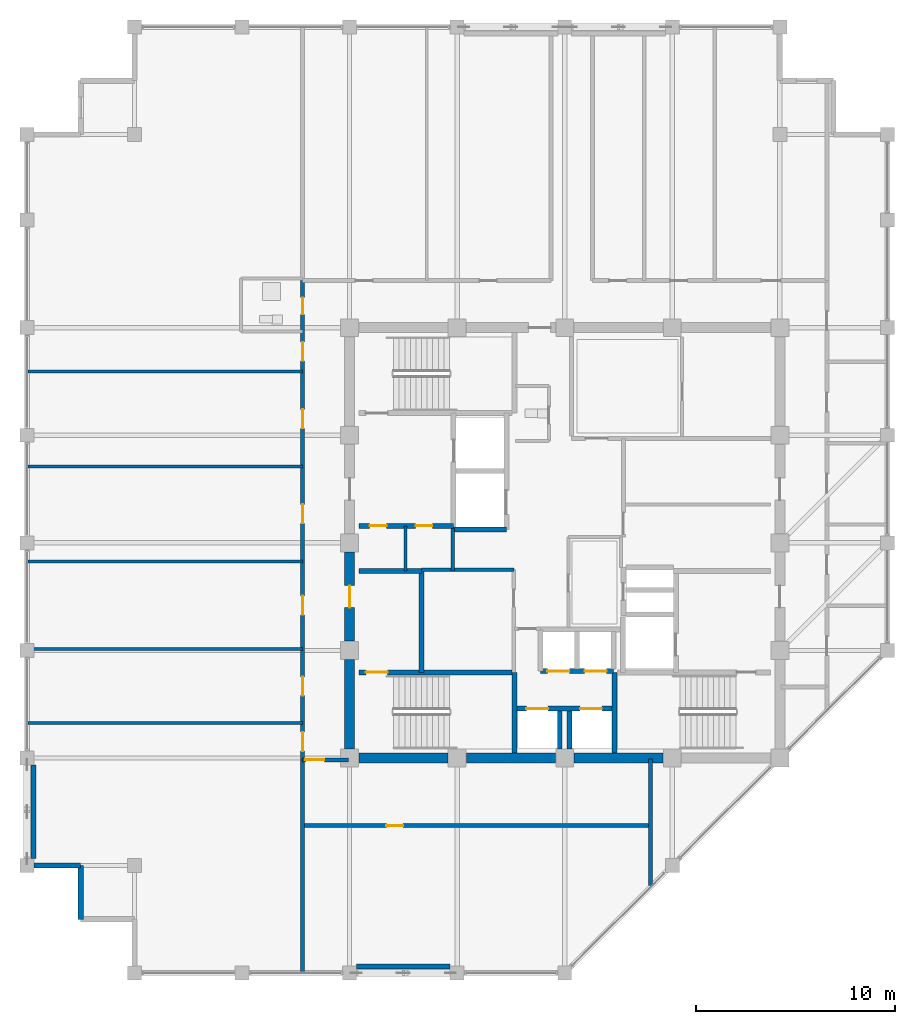
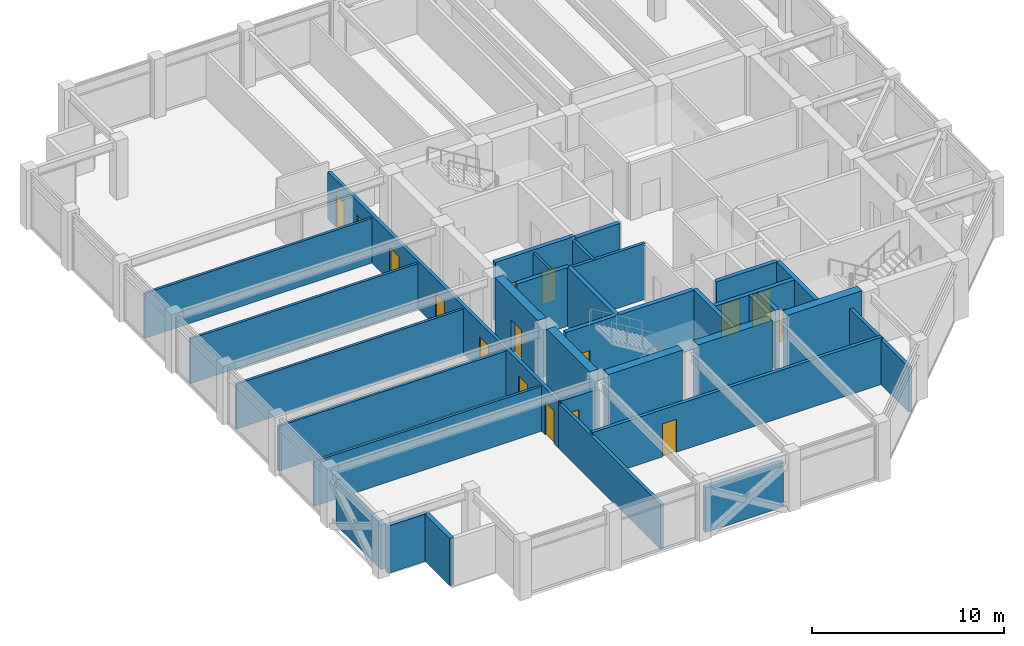
# One storey, part 26 of 31: 33 walls, 17 doors, 17 openings.
"""IFC4 building model written with IfcOpenShell, lengths in metres."""

from ifc_helpers import new_model, si_unit, direction, frame, frame_2d, origin, place, context, subcontext, project, spatial, rectangle, extrude, material, layer, layer_set, type_object, element, fill, save


model = new_model("IFC4")

# Units and contexts
model_context = context("Model", 3, precision=1e-05, world=origin(), true_north=direction((0.0, 1.0)))
body_context = subcontext(model_context, "Body", "Model", "MODEL_VIEW")
ifc_project = project(units=[si_unit("LENGTHUNIT", "METRE"), si_unit("AREAUNIT", "SQUARE_METRE"), si_unit("VOLUMEUNIT", "CUBIC_METRE"), si_unit("PLANEANGLEUNIT", "RADIAN"), si_unit("MASSUNIT", "GRAM", prefix="KILO")], contexts=[model_context])

# Site, building, storey
site_placement = place(None, origin())
site = spatial("IfcSite", under=ifc_project, at=site_placement, CompositionType="ELEMENT")
building_placement = place(site_placement, origin())
building = spatial("IfcBuilding", under=site, at=building_placement, Name="Surkhivell Harbour Commons", CompositionType="ELEMENT")
storey_placement = place(building_placement, frame((0.0, 0.0, 330.0)))
storey = spatial("IfcBuildingStorey", under=building, at=storey_placement, Name="L86", CompositionType="ELEMENT", Elevation=330.0)

# Walls
ifc_material_1 = material(Name="Concrete C50/60", Category="concrete")
ifc_layer_1 = layer(ifc_material_1, 0.5)
ifc_layer_set_1 = layer_set([ifc_layer_1], Name="Concrete C50/60")
wall_type_1 = type_object("IfcWallType", Name="WAL-CORE-500", PredefinedType="SHEAR", material=ifc_layer_set_1)
for number, where, z_axis, x_axis, name in (
    (1, (-10.340087890625, -10.800048828125, 0.0), (0.0, 0.0, 1.0), (1.0, 0.0, 0.0), "L86 Core Shear Wall South 1"),
    (2, (-10.800048828125, -10.340087890625, 0.0), (0.0, 0.0, 1.0), (0.0, 1.0, 0.0), "L86 Core Shear Wall West 1"),
    (3, (-4.93994140625, -10.800048828125, 0.0), (0.0, 0.0, 1.0), (1.0, 0.0, 0.0), "L86 Core Shear Wall South 2"),
):
    element("IfcWall", number, at=place(storey_placement, frame(where, z_axis=z_axis, x_axis=x_axis)), inside=storey, type_object=wall_type_1, Name=name, PredefinedType="SHEAR", context=body_context, shape_type="SweptSolid", body=[
        extrude(rectangle(XDim=4.47998046875, YDim=0.5, at=frame_2d((2.239990234375, 0.0))), origin(), (0.0, 0.0, 1.0), 3.75),
    ])

# Wall, opening, door
wall_1_placement = place(storey_placement, frame((-10.800048828125, -4.93994140625, 0.0), z_axis=(0.0, 0.0, 1.0), x_axis=(0.0, 1.0, 0.0)))
wall_1 = element("IfcWall", 4, at=wall_1_placement, inside=storey, type_object=wall_type_1, Name="L86 Core Shear Wall West 2", PredefinedType="SHEAR", context=body_context, shape_type="SweptSolid", body=[
    extrude(rectangle(XDim=4.47998046875, YDim=0.5, at=frame_2d((2.239990234375, 0.0))), origin(), (0.0, 0.0, 1.0), 3.75),
])
opening_1_placement = place(wall_1_placement, frame((1.68994140625, 0.0, 0.0)))
opening_1 = element("IfcOpeningElement", 5, at=opening_1_placement, cuts=wall_1, Name="Opening ID-2", PredefinedType="OPENING", context=body_context, shape_type="SweptSolid", body=[
    extrude(rectangle(XDim=1.10009765625, YDim=2.10009765625, at=frame_2d((0.550048828125, 1.050048828125))), frame((0.0, 0.260009765625, 0.0), z_axis=(0.0, -1.0, 0.0), x_axis=(1.0, 0.0, 0.0)), (0.0, 0.0, 1.0), 0.52001953125),
])
ifc_material_2 = material(Name="Hardwood-veneered fire-rated door leaf", Category="wood")
door_type_1 = type_object("IfcDoorType", Name="DOR-FD60-1100", OperationType="NOTDEFINED", PredefinedType="DOOR", material=ifc_material_2)
door_1_placement = place(opening_1_placement, origin())
door_1 = element("IfcDoor", 6, at=door_1_placement, inside=storey, type_object=door_type_1, Name="L86 Stair 3 Lobby Corridor Door", OperationType="SINGLE_SWING_LEFT", OverallHeight=2.10009765625, OverallWidth=1.10009765625, PredefinedType="DOOR", context=body_context, shape_type="SweptSolid", body=[
    extrude(rectangle(XDim=1.10009765625, YDim=2.10009765625, at=frame_2d((0.550048828125, 1.050048828125))), frame((0.0, 0.02490234375, 0.0), z_axis=(0.0, -1.0, 0.0), x_axis=(1.0, 0.0, 0.0)), (0.0, 0.0, 1.0), 0.050048828125),
])
fill(opening_1, door_1)

# Walls
wall_2_placement = place(storey_placement, frame((0.4599609375, -10.800048828125, 0.0), z_axis=(0.0, 0.0, 1.0), x_axis=(1.0, 0.0, 0.0)))
element("IfcWall", 7, at=wall_2_placement, inside=storey, type_object=wall_type_1, Name="L86 Core Shear Wall South 3", PredefinedType="SHEAR", context=body_context, shape_type="SweptSolid", body=[
    extrude(rectangle(XDim=4.47998046875, YDim=0.5, at=frame_2d((2.239990234375, 0.0))), origin(), (0.0, 0.0, 1.0), 3.75),
])
ifc_material_3 = material(Name="Pale-metal insulated precast concrete C45/55", Category="concrete")
ifc_layer_2 = layer(ifc_material_3, 0.260009765625)
ifc_layer_set_2 = layer_set([ifc_layer_2], Name="Pale-metal insulated precast concrete C45/55")
wall_type_2 = type_object("IfcWallType", Name="WAL-EXT-MTL260", PredefinedType="STANDARD", material=ifc_layer_set_2)
wall_3_placement = place(storey_placement, frame((-10.451904296875, -21.264892578125, 0.0), z_axis=(0.0, 0.0, 1.0), x_axis=(1.0, 0.0, 0.0)))
element("IfcWall", 8, at=wall_3_placement, inside=storey, type_object=wall_type_2, Name="L86 Braced-Bay Insulated Spandrel Backing S", PredefinedType="STANDARD", context=body_context, shape_type="SweptSolid", body=[
    extrude(rectangle(XDim=4.703857421875, YDim=0.260009765625, at=frame_2d((2.35205078125, 0.0))), origin(), (0.0, 0.0, 1.0), 2.85693359375),
])
wall_4_placement = place(storey_placement, frame((-26.6650390625, -11.14794921875, 0.0), z_axis=(0.0, 0.0, 1.0), x_axis=(0.0, -1.0, 0.0)))
element("IfcWall", 9, at=wall_4_placement, inside=storey, type_object=wall_type_2, Name="L86 Braced-Bay Insulated Spandrel Backing W", PredefinedType="STANDARD", context=body_context, shape_type="SweptSolid", body=[
    extrude(rectangle(XDim=4.7041015625, YDim=0.260009765625, at=frame_2d((2.35205078125, 0.0))), origin(), (0.0, 0.0, 1.0), 2.85693359375),
])
wall_5_placement = place(storey_placement, frame((-26.652099609375, -16.199951171875, 0.0), z_axis=(0.0, 0.0, 1.0), x_axis=(1.0, 0.0, 0.0)))
element("IfcWall", 10, at=wall_5_placement, inside=storey, type_object=wall_type_2, Name="L86 Serrated Corner Facade Wall 13", PredefinedType="STANDARD", context=body_context, shape_type="SweptSolid", body=[
    extrude(rectangle(XDim=2.35205078125, YDim=0.260009765625, at=frame_2d((1.176025390625, 0.0))), origin(), (0.0, 0.0, 1.0), 3.012939453125),
])
wall_6_placement = place(storey_placement, frame((-24.300048828125, -16.199951171875, 0.0), z_axis=(0.0, 0.0, 1.0), x_axis=(0.0, -1.0, 0.0)))
element("IfcWall", 11, at=wall_6_placement, inside=storey, type_object=wall_type_2, Name="L86 Serrated Corner Facade Wall 14", PredefinedType="STANDARD", context=body_context, shape_type="SweptSolid", body=[
    extrude(rectangle(XDim=2.699951171875, YDim=0.260009765625, at=frame_2d((1.35009765625, 0.0))), origin(), (0.0, 0.0, 1.0), 3.012939453125),
])
ifc_material_4 = material(Name="Twin-stud acoustic fireboard partition", Category="other")
ifc_layer_3 = layer(ifc_material_4, 0.14990234375)
ifc_layer_set_3 = layer_set([ifc_layer_3], Name="Twin-stud acoustic fireboard partition")
wall_type_3 = type_object("IfcWallType", Name="WAL-INT-150", PredefinedType="PARTITIONING", material=ifc_layer_set_3)
wall_7_placement = place(storey_placement, frame((-8.0, -1.419921875, 0.0), z_axis=(0.0, 0.0, 1.0), x_axis=(0.0, 1.0, 0.0)))
element("IfcWall", 12, at=wall_7_placement, inside=storey, type_object=wall_type_3, Name="L86 West Core Cut D1", PredefinedType="PARTITIONING", context=body_context, shape_type="SweptSolid", body=[
    extrude(rectangle(XDim=2.27001953125, YDim=0.14990234375, at=frame_2d((1.135009765625, 0.0))), origin(), (0.0, 0.0, 1.0), 3.570068359375),
])
for number, where, z_axis, x_axis, name in (
    (13, (-26.93994140625, -5.340087890625, 0.0), (0.0, 0.0, 1.0), (1.0, 0.0, 0.0), "L86 West Partition BDP1"),
    (14, (-26.93994140625, -0.929931640625, 0.0), (0.0, 0.0, 1.0), (1.0, 0.0, 0.0), "L86 West Partition BDP2"),
    (15, (-26.93994140625, 3.840087890625, 0.0), (0.0, 0.0, 1.0), (1.0, 0.0, 0.0), "L86 West Partition BDP3"),
    (16, (-26.93994140625, -9.050048828125, 0.0), (0.0, 0.0, 1.0), (1.0, 0.0, 0.0), "L86 West Partition PBOT"),
    (17, (-26.93994140625, 8.610107421875, 0.0), (0.0, 0.0, 1.0), (1.0, 0.0, 0.0), "L86 West Partition PTOP"),
):
    element("IfcWall", number, at=place(storey_placement, frame(where, z_axis=z_axis, x_axis=x_axis)), inside=storey, type_object=wall_type_3, Name=name, PredefinedType="PARTITIONING", context=body_context, shape_type="SweptSolid", body=[
        extrude(rectangle(XDim=13.780029296875, YDim=0.14990234375, at=frame_2d((6.89013671875, 0.0))), origin(), (0.0, 0.0, 1.0), 2.85693359375),
    ])
ifc_material_5 = material(Name="High-density acoustic blockwork fire partition", Category="masonry")
ifc_layer_4 = layer(ifc_material_5, 0.175048828125)
ifc_layer_set_4 = layer_set([ifc_layer_4], Name="High-density acoustic blockwork fire partition")
wall_type_4 = type_object("IfcWallType", Name="WAL-INT-175", PredefinedType="PARTITIONING", material=ifc_layer_set_4)
wall_8_placement = place(storey_placement, frame((-7.179931640625, -1.35009765625, 0.0), z_axis=(0.0, 0.0, 1.0), x_axis=(1.0, 0.0, 0.0)))
element("IfcWall", 18, at=wall_8_placement, inside=storey, type_object=wall_type_4, Name="L86 Core Service Bay North Wall", PredefinedType="PARTITIONING", context=body_context, shape_type="SweptSolid", body=[
    extrude(rectangle(XDim=4.6298828125, YDim=0.175048828125, at=frame_2d((2.31494140625, 0.0))), origin(), (0.0, 0.0, 1.0), 3.570068359375),
])
wall_9_placement = place(storey_placement, frame((-5.6201171875, -1.419921875, 0.0), z_axis=(0.0, 0.0, 1.0), x_axis=(0.0, 1.0, 0.0)))
element("IfcWall", 19, at=wall_9_placement, inside=storey, type_object=wall_type_4, Name="L86 West Core Bay East Wall", PredefinedType="PARTITIONING", context=body_context, shape_type="SweptSolid", body=[
    extrude(rectangle(XDim=2.139892578125, YDim=0.175048828125, at=frame_2d((1.06982421875, 0.0))), origin(), (0.0, 0.0, 1.0), 3.570068359375),
])
ifc_material_6 = material(Name="Autoclaved aerated concrete blockwork and fire plaster", Category="masonry")
ifc_layer_5 = layer(ifc_material_6, 0.199951171875)
ifc_layer_set_5 = layer_set([ifc_layer_5], Name="Autoclaved aerated concrete blockwork and fire plaster")
wall_type_5 = type_object("IfcWallType", Name="WAL-INT-200", PredefinedType="PARTITIONING", material=ifc_layer_set_5)
wall_10_placement = place(storey_placement, frame((4.300048828125, -17.215087890625, 0.0), z_axis=(0.0, 0.0, 1.0), x_axis=(0.0, 1.0, 0.0)))
element("IfcWall", 20, at=wall_10_placement, inside=storey, type_object=wall_type_5, Name="L86 South Hall East Wall", PredefinedType="PARTITIONING", context=body_context, shape_type="SweptSolid", body=[
    extrude(rectangle(XDim=6.364990234375, YDim=0.199951171875, at=frame_2d((3.1826171875, 0.0))), origin(), (0.0, 0.0, 1.0), 2.85693359375),
])

# Wall, opening, door
wall_11_placement = place(storey_placement, frame((-13.159912109375, -14.199951171875, 0.0), z_axis=(0.0, 0.0, 1.0), x_axis=(1.0, 0.0, 0.0)))
wall_11 = element("IfcWall", 21, at=wall_11_placement, inside=storey, type_object=wall_type_5, Name="L86 South Wing Horizontal Partition", PredefinedType="PARTITIONING", context=body_context, shape_type="SweptSolid", body=[
    extrude(rectangle(XDim=17.4599609375, YDim=0.199951171875, at=frame_2d((8.72998046875, 0.0))), origin(), (0.0, 0.0, 1.0), 3.012939453125),
])
opening_2_placement = place(wall_11_placement, frame((4.199951171875, 0.0, 0.0)))
opening_2 = element("IfcOpeningElement", 22, at=opening_2_placement, cuts=wall_11, Name="Opening ID-6", PredefinedType="OPENING", context=body_context, shape_type="SweptSolid", body=[
    extrude(rectangle(XDim=0.85009765625, YDim=2.10009765625, at=frame_2d((0.425048828125, 1.050048828125))), frame((0.0, 0.10986328125, 0.0), z_axis=(0.0, -1.0, 0.0), x_axis=(1.0, 0.0, 0.0)), (0.0, 0.0, 1.0), 0.219970703125),
])
door_type_2 = type_object("IfcDoorType", Name="DOR-FD30-850", OperationType="NOTDEFINED", PredefinedType="DOOR", material=ifc_material_2)
door_2_placement = place(opening_2_placement, origin())
door_2 = element("IfcDoor", 23, at=door_2_placement, inside=storey, type_object=door_type_2, Name="L86 South Music Door", OperationType="SINGLE_SWING_LEFT", OverallHeight=2.10009765625, OverallWidth=0.85009765625, PredefinedType="DOOR", context=body_context, shape_type="SweptSolid", body=[
    extrude(rectangle(XDim=0.85009765625, YDim=2.10009765625, at=frame_2d((0.425048828125, 1.050048828125))), frame((0.0, 0.02490234375, 0.0), z_axis=(0.0, -1.0, 0.0), x_axis=(1.0, 0.0, 0.0)), (0.0, 0.0, 1.0), 0.050048828125),
])
fill(opening_2, door_2)

# Wall
wall_12_placement = place(storey_placement, frame((-13.159912109375, -21.5400390625, 0.0), z_axis=(0.0, 0.0, 1.0), x_axis=(0.0, 1.0, 0.0)))
element("IfcWall", 24, at=wall_12_placement, inside=storey, type_object=wall_type_5, Name="L86 South Hall West Divider", PredefinedType="PARTITIONING", context=body_context, shape_type="SweptSolid", body=[
    extrude(rectangle(XDim=10.64013671875, YDim=0.199951171875, at=frame_2d((5.320068359375, 0.0))), origin(), (0.0, 0.0, 1.0), 2.85693359375),
])

# Wall, openings, doors
wall_13_placement = place(storey_placement, frame((-13.159912109375, -10.89990234375, 0.0), z_axis=(0.0, 0.0, 1.0), x_axis=(0.0, 1.0, 0.0)))
wall_13 = element("IfcWall", 25, at=wall_13_placement, inside=storey, type_object=wall_type_5, Name="L86 West Corridor Wall", PredefinedType="PARTITIONING", context=body_context, shape_type="SweptSolid", body=[
    extrude(rectangle(XDim=24.059814453125, YDim=0.199951171875, at=frame_2d((12.02978515625, 0.0))), origin(), (0.0, 0.0, 1.0), 3.012939453125),
])
opening_3_placement = place(wall_13_placement, frame((0.445068359375, 0.0, 0.0)))
opening_3 = element("IfcOpeningElement", 26, at=opening_3_placement, cuts=wall_13, Name="Opening ID-4", PredefinedType="OPENING", context=body_context, shape_type="SweptSolid", body=[
    extrude(rectangle(XDim=0.949951171875, YDim=2.10009765625, at=frame_2d((0.47509765625, 1.050048828125))), frame((0.0, 0.10986328125, 0.0), z_axis=(0.0, -1.0, 0.0), x_axis=(1.0, 0.0, 0.0)), (0.0, 0.0, 1.0), 0.219970703125),
])
opening_4_placement = place(wall_13_placement, frame((22.364990234375, 0.0, 0.0)))
opening_4 = element("IfcOpeningElement", 27, at=opening_4_placement, cuts=wall_13, Name="Opening ID-6", PredefinedType="OPENING", context=body_context, shape_type="SweptSolid", body=[
    extrude(rectangle(XDim=0.85009765625, YDim=2.10009765625, at=frame_2d((0.425048828125, 1.050048828125))), frame((0.0, 0.10986328125, 0.0), z_axis=(0.0, -1.0, 0.0), x_axis=(1.0, 0.0, 0.0)), (0.0, 0.0, 1.0), 0.219970703125),
])
opening_5_placement = place(wall_13_placement, frame((20.030029296875, 0.0, 0.0)))
opening_5 = element("IfcOpeningElement", 28, at=opening_5_placement, cuts=wall_13, Name="Opening ID-4", PredefinedType="OPENING", context=body_context, shape_type="SweptSolid", body=[
    extrude(rectangle(XDim=0.949951171875, YDim=2.10009765625, at=frame_2d((0.47509765625, 1.050048828125))), frame((0.0, 0.10986328125, 0.0), z_axis=(0.0, -1.0, 0.0), x_axis=(1.0, 0.0, 0.0)), (0.0, 0.0, 1.0), 0.219970703125),
])
opening_6_placement = place(wall_13_placement, frame((3.22509765625, 0.0, 0.0)))
opening_6 = element("IfcOpeningElement", 29, at=opening_6_placement, cuts=wall_13, Name="Opening ID-4", PredefinedType="OPENING", context=body_context, shape_type="SweptSolid", body=[
    extrude(rectangle(XDim=0.949951171875, YDim=2.10009765625, at=frame_2d((0.47509765625, 1.050048828125))), frame((0.0, 0.10986328125, 0.0), z_axis=(0.0, -1.0, 0.0), x_axis=(1.0, 0.0, 0.0)), (0.0, 0.0, 1.0), 0.219970703125),
])
opening_7_placement = place(wall_13_placement, frame((7.284912109375, 0.0, 0.0)))
opening_7 = element("IfcOpeningElement", 30, at=opening_7_placement, cuts=wall_13, Name="Opening ID-4", PredefinedType="OPENING", context=body_context, shape_type="SweptSolid", body=[
    extrude(rectangle(XDim=0.949951171875, YDim=2.10009765625, at=frame_2d((0.47509765625, 1.050048828125))), frame((0.0, 0.10986328125, 0.0), z_axis=(0.0, -1.0, 0.0), x_axis=(1.0, 0.0, 0.0)), (0.0, 0.0, 1.0), 0.219970703125),
])
opening_8_placement = place(wall_13_placement, frame((11.875, 0.0, 0.0)))
opening_8 = element("IfcOpeningElement", 31, at=opening_8_placement, cuts=wall_13, Name="Opening ID-4", PredefinedType="OPENING", context=body_context, shape_type="SweptSolid", body=[
    extrude(rectangle(XDim=0.949951171875, YDim=2.10009765625, at=frame_2d((0.47509765625, 1.050048828125))), frame((0.0, 0.10986328125, 0.0), z_axis=(0.0, -1.0, 0.0), x_axis=(1.0, 0.0, 0.0)), (0.0, 0.0, 1.0), 0.219970703125),
])
opening_9_placement = place(wall_13_placement, frame((16.64501953125, 0.0, 0.0)))
opening_9 = element("IfcOpeningElement", 32, at=opening_9_placement, cuts=wall_13, Name="Opening ID-4", PredefinedType="OPENING", context=body_context, shape_type="SweptSolid", body=[
    extrude(rectangle(XDim=0.949951171875, YDim=2.10009765625, at=frame_2d((0.47509765625, 1.050048828125))), frame((0.0, 0.10986328125, 0.0), z_axis=(0.0, -1.0, 0.0), x_axis=(1.0, 0.0, 0.0)), (0.0, 0.0, 1.0), 0.219970703125),
])
door_3_placement = place(opening_4_placement, origin())
door_3 = element("IfcDoor", 33, at=door_3_placement, inside=storey, type_object=door_type_2, Name="L86 Communal Shower Bathroom West Door", OperationType="SINGLE_SWING_RIGHT", OverallHeight=2.10009765625, OverallWidth=0.85009765625, PredefinedType="DOOR", context=body_context, shape_type="SweptSolid", body=[
    extrude(rectangle(XDim=0.85009765625, YDim=2.10009765625, at=frame_2d((0.425048828125, 1.050048828125))), frame((0.0, 0.02490234375, 0.0), z_axis=(0.0, -1.0, 0.0), x_axis=(1.0, 0.0, 0.0)), (0.0, 0.0, 1.0), 0.050048828125),
])
fill(opening_4, door_3)
door_type_3 = type_object("IfcDoorType", Name="DOR-FD60-950", OperationType="NOTDEFINED", PredefinedType="DOOR", material=ifc_material_2)
door_4_placement = place(opening_3_placement, origin())
door_4 = element("IfcDoor", 34, at=door_4_placement, inside=storey, type_object=door_type_3, Name="L86 Shared Communal Kitchen West Door", OperationType="SINGLE_SWING_LEFT", OverallHeight=2.10009765625, OverallWidth=0.949951171875, PredefinedType="DOOR", context=body_context, shape_type="SweptSolid", body=[
    extrude(rectangle(XDim=0.949951171875, YDim=2.10009765625, at=frame_2d((0.47509765625, 1.050048828125))), frame((0.0, 0.02490234375, 0.0), z_axis=(0.0, -1.0, 0.0), x_axis=(1.0, 0.0, 0.0)), (0.0, 0.0, 1.0), 0.050048828125),
])
fill(opening_3, door_4)
door_5_placement = place(opening_5_placement, origin())
door_5 = element("IfcDoor", 35, at=door_5_placement, inside=storey, type_object=door_type_3, Name="L86 Academic Reading Commons West Door", OperationType="SINGLE_SWING_LEFT", OverallHeight=2.10009765625, OverallWidth=0.949951171875, PredefinedType="DOOR", context=body_context, shape_type="SweptSolid", body=[
    extrude(rectangle(XDim=0.949951171875, YDim=2.10009765625, at=frame_2d((0.47509765625, 1.050048828125))), frame((0.0, 0.02490234375, 0.0), z_axis=(0.0, -1.0, 0.0), x_axis=(1.0, 0.0, 0.0)), (0.0, 0.0, 1.0), 0.050048828125),
])
fill(opening_5, door_5)
door_6_placement = place(opening_6_placement, origin())
door_6 = element("IfcDoor", 36, at=door_6_placement, inside=storey, type_object=door_type_3, Name="L86 Hostel Cluster Bedroom 1 West Door", OperationType="SINGLE_SWING_RIGHT", OverallHeight=2.10009765625, OverallWidth=0.949951171875, PredefinedType="DOOR", context=body_context, shape_type="SweptSolid", body=[
    extrude(rectangle(XDim=0.949951171875, YDim=2.10009765625, at=frame_2d((0.47509765625, 1.050048828125))), frame((0.0, 0.02490234375, 0.0), z_axis=(0.0, -1.0, 0.0), x_axis=(1.0, 0.0, 0.0)), (0.0, 0.0, 1.0), 0.050048828125),
])
fill(opening_6, door_6)
door_7_placement = place(opening_7_placement, origin())
door_7 = element("IfcDoor", 37, at=door_7_placement, inside=storey, type_object=door_type_3, Name="L86 Co-Living Dormitory Bedroom 2 West Door", OperationType="SINGLE_SWING_LEFT", OverallHeight=2.10009765625, OverallWidth=0.949951171875, PredefinedType="DOOR", context=body_context, shape_type="SweptSolid", body=[
    extrude(rectangle(XDim=0.949951171875, YDim=2.10009765625, at=frame_2d((0.47509765625, 1.050048828125))), frame((0.0, 0.02490234375, 0.0), z_axis=(0.0, -1.0, 0.0), x_axis=(1.0, 0.0, 0.0)), (0.0, 0.0, 1.0), 0.050048828125),
])
fill(opening_7, door_7)
door_8_placement = place(opening_8_placement, origin())
door_8 = element("IfcDoor", 38, at=door_8_placement, inside=storey, type_object=door_type_3, Name="L86 Hostel Cluster Bedroom 3 West Door", OperationType="SINGLE_SWING_RIGHT", OverallHeight=2.10009765625, OverallWidth=0.949951171875, PredefinedType="DOOR", context=body_context, shape_type="SweptSolid", body=[
    extrude(rectangle(XDim=0.949951171875, YDim=2.10009765625, at=frame_2d((0.47509765625, 1.050048828125))), frame((0.0, 0.02490234375, 0.0), z_axis=(0.0, -1.0, 0.0), x_axis=(1.0, 0.0, 0.0)), (0.0, 0.0, 1.0), 0.050048828125),
])
fill(opening_8, door_8)
door_9_placement = place(opening_9_placement, origin())
door_9 = element("IfcDoor", 39, at=door_9_placement, inside=storey, type_object=door_type_3, Name="L86 Co-Living Dormitory Bedroom 4 West Door", OperationType="SINGLE_SWING_LEFT", OverallHeight=2.10009765625, OverallWidth=0.949951171875, PredefinedType="DOOR", context=body_context, shape_type="SweptSolid", body=[
    extrude(rectangle(XDim=0.949951171875, YDim=2.10009765625, at=frame_2d((0.47509765625, 1.050048828125))), frame((0.0, 0.02490234375, 0.0), z_axis=(0.0, -1.0, 0.0), x_axis=(1.0, 0.0, 0.0)), (0.0, 0.0, 1.0), 0.050048828125),
])
fill(opening_9, door_9)

# Wall, opening, door
wall_14_placement = place(storey_placement, frame((-13.159912109375, -10.89990234375, 0.0), z_axis=(0.0, 0.0, 1.0), x_axis=(1.0, 0.0, 0.0)))
wall_14 = element("IfcWall", 40, at=wall_14_placement, inside=storey, type_object=wall_type_5, Name="L86 West Corridor South Portal Wall", PredefinedType="PARTITIONING", context=body_context, shape_type="SweptSolid", body=[
    extrude(rectangle(XDim=2.309814453125, YDim=0.199951171875, at=frame_2d((1.15478515625, 0.0))), origin(), (0.0, 0.0, 1.0), 3.012939453125),
])
opening_10_placement = place(wall_14_placement, frame((0.139892578125, 0.0, 0.0)))
opening_10 = element("IfcOpeningElement", 41, at=opening_10_placement, cuts=wall_14, Name="Opening ID-4", PredefinedType="OPENING", context=body_context, shape_type="SweptSolid", body=[
    extrude(rectangle(XDim=0.949951171875, YDim=2.10009765625, at=frame_2d((0.47509765625, 1.050048828125))), frame((0.0, 0.10986328125, 0.0), z_axis=(0.0, -1.0, 0.0), x_axis=(1.0, 0.0, 0.0)), (0.0, 0.0, 1.0), 0.219970703125),
])
door_10_placement = place(opening_10_placement, origin())
door_10 = element("IfcDoor", 42, at=door_10_placement, inside=storey, type_object=door_type_3, Name="L86 South Dining Door", OperationType="SINGLE_SWING_RIGHT", OverallHeight=2.10009765625, OverallWidth=0.949951171875, PredefinedType="DOOR", context=body_context, shape_type="SweptSolid", body=[
    extrude(rectangle(XDim=0.949951171875, YDim=2.10009765625, at=frame_2d((0.47509765625, 1.050048828125))), frame((0.0, 0.02490234375, 0.0), z_axis=(0.0, -1.0, 0.0), x_axis=(1.0, 0.0, 0.0)), (0.0, 0.0, 1.0), 0.050048828125),
])
fill(opening_10, door_10)

# Wall, openings, doors
ifc_layer_6 = layer(ifc_material_1, 0.25)
ifc_layer_set_6 = layer_set([ifc_layer_6], Name="Concrete C50/60")
wall_type_6 = type_object("IfcWallType", Name="WAL-SHAFT-250", PredefinedType="SHEAR", material=ifc_layer_set_6)
wall_15_placement = place(storey_placement, frame((-10.340087890625, 0.85009765625, 0.0), z_axis=(0.0, 0.0, 1.0), x_axis=(1.0, 0.0, 0.0)))
wall_15 = element("IfcWall", 43, at=wall_15_placement, inside=storey, type_object=wall_type_6, Name="L86 Firefighting Lobby 1 South Wall", PredefinedType="SHEAR", context=body_context, shape_type="SweptSolid", body=[
    extrude(rectangle(XDim=4.760009765625, YDim=0.25, at=frame_2d((2.3798828125, 0.0))), origin(), (0.0, 0.0, 1.0), 3.75),
])
opening_11_placement = place(wall_15_placement, frame((0.550048828125, 0.0, 0.0)))
opening_11 = element("IfcOpeningElement", 44, at=opening_11_placement, cuts=wall_15, Name="Opening ID-6", PredefinedType="OPENING", context=body_context, shape_type="SweptSolid", body=[
    extrude(rectangle(XDim=0.85009765625, YDim=2.10009765625, at=frame_2d((0.425048828125, 1.050048828125))), frame((0.0, 0.135009765625, 0.0), z_axis=(0.0, -1.0, 0.0), x_axis=(1.0, 0.0, 0.0)), (0.0, 0.0, 1.0), 0.27001953125),
])
opening_12_placement = place(wall_15_placement, frame((2.85009765625, 0.0, 0.0)))
opening_12 = element("IfcOpeningElement", 45, at=opening_12_placement, cuts=wall_15, Name="Opening ID-6", PredefinedType="OPENING", context=body_context, shape_type="SweptSolid", body=[
    extrude(rectangle(XDim=0.85009765625, YDim=2.10009765625, at=frame_2d((0.425048828125, 1.050048828125))), frame((0.0, 0.135009765625, 0.0), z_axis=(0.0, -1.0, 0.0), x_axis=(1.0, 0.0, 0.0)), (0.0, 0.0, 1.0), 0.27001953125),
])
door_11_placement = place(opening_11_placement, origin())
door_11 = element("IfcDoor", 46, at=door_11_placement, inside=storey, type_object=door_type_2, Name="L86 West Seminar Pod Door", OperationType="SINGLE_SWING_LEFT", OverallHeight=2.10009765625, OverallWidth=0.85009765625, PredefinedType="DOOR", context=body_context, shape_type="SweptSolid", body=[
    extrude(rectangle(XDim=0.85009765625, YDim=2.10009765625, at=frame_2d((0.425048828125, 1.050048828125))), frame((0.0, 0.02490234375, 0.0), z_axis=(0.0, -1.0, 0.0), x_axis=(1.0, 0.0, 0.0)), (0.0, 0.0, 1.0), 0.050048828125),
])
fill(opening_11, door_11)
door_12_placement = place(opening_12_placement, origin())
door_12 = element("IfcDoor", 47, at=door_12_placement, inside=storey, type_object=door_type_2, Name="L86 West Reading Pod Door", OperationType="SINGLE_SWING_RIGHT", OverallHeight=2.10009765625, OverallWidth=0.85009765625, PredefinedType="DOOR", context=body_context, shape_type="SweptSolid", body=[
    extrude(rectangle(XDim=0.85009765625, YDim=2.10009765625, at=frame_2d((0.425048828125, 1.050048828125))), frame((0.0, 0.02490234375, 0.0), z_axis=(0.0, -1.0, 0.0), x_axis=(1.0, 0.0, 0.0)), (0.0, 0.0, 1.0), 0.050048828125),
])
fill(opening_12, door_12)

# Walls
for number, where, z_axis, x_axis, name in (
    (48, (-0.25, -10.35009765625, 0.0), (0.0, 0.0, 1.0), (0.0, 1.0, 0.0), "L86 High-Rise Side Wall S"),
    (49, (0.25, -10.35009765625, 0.0), (0.0, 0.0, 1.0), (0.0, 1.0, 0.0), "L86 High-Rise Side Wall S"),
):
    element("IfcWall", number, at=place(storey_placement, frame(where, z_axis=z_axis, x_axis=x_axis)), inside=storey, type_object=wall_type_6, Name=name, PredefinedType="SHEAR", context=body_context, shape_type="SweptSolid", body=[
        extrude(rectangle(XDim=1.91015625, YDim=0.25, at=frame_2d((0.955078125, 0.0))), origin(), (0.0, 0.0, 1.0), 3.75),
    ])

# Wall, openings, doors
wall_16_placement = place(storey_placement, frame((-1.219970703125, -6.43994140625, 0.0), z_axis=(0.0, 0.0, 1.0), x_axis=(1.0, 0.0, 0.0)))
wall_16 = element("IfcWall", 50, at=wall_16_placement, inside=storey, type_object=wall_type_6, Name="L86 High-Rise North Front Shaft Wall", PredefinedType="SHEAR", context=body_context, shape_type="SweptSolid", body=[
    extrude(rectangle(XDim=3.669921875, YDim=0.25, at=frame_2d((1.8349609375, 0.0))), origin(), (0.0, 0.0, 1.0), 3.75),
])
opening_13_placement = place(wall_16_placement, frame((0.35009765625, 0.0, 0.0)))
opening_13 = element("IfcOpeningElement", 51, at=opening_13_placement, cuts=wall_16, Name="Opening LD-1", PredefinedType="OPENING", context=body_context, shape_type="SweptSolid", body=[
    extrude(rectangle(XDim=1.10009765625, YDim=2.10009765625, at=frame_2d((0.550048828125, 1.050048828125))), frame((0.0, 0.135009765625, 0.0), z_axis=(0.0, -1.0, 0.0), x_axis=(1.0, 0.0, 0.0)), (0.0, 0.0, 1.0), 0.27001953125),
])
opening_14_placement = place(wall_16_placement, frame((2.219970703125, 0.0, 0.0)))
opening_14 = element("IfcOpeningElement", 52, at=opening_14_placement, cuts=wall_16, Name="Opening LD-1", PredefinedType="OPENING", context=body_context, shape_type="SweptSolid", body=[
    extrude(rectangle(XDim=1.10009765625, YDim=2.10009765625, at=frame_2d((0.550048828125, 1.050048828125))), frame((0.0, 0.135009765625, 0.0), z_axis=(0.0, -1.0, 0.0), x_axis=(1.0, 0.0, 0.0)), (0.0, 0.0, 1.0), 0.27001953125),
])
ifc_material_7 = material(Name="Brushed stainless steel S355", Category="steel")
door_type_4 = type_object("IfcDoorType", Name="DOR-LD-1100", OperationType="SLIDING_TO_LEFT", PredefinedType="DOOR", material=ifc_material_7)
door_13_placement = place(opening_13_placement, origin())
door_13 = element("IfcDoor", 53, at=door_13_placement, inside=storey, type_object=door_type_4, Name="L86 Lift Landing Door LD-PH1", OperationType="SLIDING_TO_LEFT", OverallHeight=2.10009765625, OverallWidth=1.10009765625, PredefinedType="DOOR", context=body_context, shape_type="SweptSolid", body=[
    extrude(rectangle(XDim=1.10009765625, YDim=2.10009765625, at=frame_2d((0.550048828125, 1.050048828125))), frame((0.0, 0.02490234375, 0.0), z_axis=(0.0, -1.0, 0.0), x_axis=(1.0, 0.0, 0.0)), (0.0, 0.0, 1.0), 0.050048828125),
])
fill(opening_13, door_13)
door_14_placement = place(opening_14_placement, origin())
door_14 = element("IfcDoor", 54, at=door_14_placement, inside=storey, type_object=door_type_4, Name="L86 Lift Landing Door LD-PH2", OperationType="SLIDING_TO_LEFT", OverallHeight=2.10009765625, OverallWidth=1.10009765625, PredefinedType="DOOR", context=body_context, shape_type="SweptSolid", body=[
    extrude(rectangle(XDim=1.10009765625, YDim=2.10009765625, at=frame_2d((0.550048828125, 1.050048828125))), frame((0.0, 0.02490234375, 0.0), z_axis=(0.0, -1.0, 0.0), x_axis=(1.0, 0.0, 0.0)), (0.0, 0.0, 1.0), 0.050048828125),
])
fill(opening_14, door_14)

wall_17_placement = place(storey_placement, frame((-2.47998046875, -8.320068359375, 0.0), z_axis=(0.0, 0.0, 1.0), x_axis=(1.0, 0.0, 0.0)))
wall_17 = element("IfcWall", 55, at=wall_17_placement, inside=storey, type_object=wall_type_6, Name="L86 High-Rise South Front Shaft Wall", PredefinedType="SHEAR", context=body_context, shape_type="SweptSolid", body=[
    extrude(rectangle(XDim=4.929931640625, YDim=0.25, at=frame_2d((2.46484375, 0.0))), origin(), (0.0, 0.0, 1.0), 3.75),
])
opening_15_placement = place(wall_17_placement, frame((0.550048828125, 0.0, 0.0)))
opening_15 = element("IfcOpeningElement", 56, at=opening_15_placement, cuts=wall_17, Name="Opening LD-1", PredefinedType="OPENING", context=body_context, shape_type="SweptSolid", body=[
    extrude(rectangle(XDim=1.10009765625, YDim=2.10009765625, at=frame_2d((0.550048828125, 1.050048828125))), frame((0.0, 0.135009765625, 0.0), z_axis=(0.0, -1.0, 0.0), x_axis=(1.0, 0.0, 0.0)), (0.0, 0.0, 1.0), 0.27001953125),
])
opening_16_placement = place(wall_17_placement, frame((3.25, 0.0, 0.0)))
opening_16 = element("IfcOpeningElement", 57, at=opening_16_placement, cuts=wall_17, Name="Opening LD-1", PredefinedType="OPENING", context=body_context, shape_type="SweptSolid", body=[
    extrude(rectangle(XDim=1.10009765625, YDim=2.10009765625, at=frame_2d((0.550048828125, 1.050048828125))), frame((0.0, 0.135009765625, 0.0), z_axis=(0.0, -1.0, 0.0), x_axis=(1.0, 0.0, 0.0)), (0.0, 0.0, 1.0), 0.27001953125),
])
door_15_placement = place(opening_15_placement, origin())
door_15 = element("IfcDoor", 58, at=door_15_placement, inside=storey, type_object=door_type_4, Name="L86 Lift Landing Door LD-PH3", OperationType="SLIDING_TO_LEFT", OverallHeight=2.10009765625, OverallWidth=1.10009765625, PredefinedType="DOOR", context=body_context, shape_type="SweptSolid", body=[
    extrude(rectangle(XDim=1.10009765625, YDim=2.10009765625, at=frame_2d((0.550048828125, 1.050048828125))), frame((0.0, 0.02490234375, 0.0), z_axis=(0.0, -1.0, 0.0), x_axis=(1.0, 0.0, 0.0)), (0.0, 0.0, 1.0), 0.050048828125),
])
fill(opening_15, door_15)
door_16_placement = place(opening_16_placement, origin())
door_16 = element("IfcDoor", 59, at=door_16_placement, inside=storey, type_object=door_type_4, Name="L86 Lift Landing Door LD-PH4", OperationType="SLIDING_TO_LEFT", OverallHeight=2.10009765625, OverallWidth=1.10009765625, PredefinedType="DOOR", context=body_context, shape_type="SweptSolid", body=[
    extrude(rectangle(XDim=1.10009765625, YDim=2.10009765625, at=frame_2d((0.550048828125, 1.050048828125))), frame((0.0, 0.02490234375, 0.0), z_axis=(0.0, -1.0, 0.0), x_axis=(1.0, 0.0, 0.0)), (0.0, 0.0, 1.0), 0.050048828125),
])
fill(opening_16, door_16)

# Walls
for number, where, z_axis, x_axis, name in (
    (60, (2.510009765625, -10.550048828125, 0.0), (0.0, 0.0, 1.0), (0.0, 1.0, 0.0), "L86 Stair ST2 West Shear Wall"),
    (61, (-2.510009765625, -10.550048828125, 0.0), (0.0, 0.0, 1.0), (0.0, 1.0, 0.0), "L86 Stair ST3 East Shear Wall"),
):
    element("IfcWall", number, at=place(storey_placement, frame(where, z_axis=z_axis, x_axis=x_axis)), inside=storey, type_object=wall_type_6, Name=name, PredefinedType="SHEAR", context=body_context, shape_type="SweptSolid", body=[
        extrude(rectangle(XDim=4.0400390625, YDim=0.25, at=frame_2d((2.02001953125, 0.0))), origin(), (0.0, 0.0, 1.0), 3.75),
    ])
wall_18_placement = place(storey_placement, frame((-7.179931640625, -6.510009765625, 0.0), z_axis=(0.0, 0.0, 1.0), x_axis=(0.0, 1.0, 0.0)))
element("IfcWall", 62, at=wall_18_placement, inside=storey, type_object=wall_type_6, Name="L86 Stair 3 Lobby East Wall", PredefinedType="SHEAR", context=body_context, shape_type="SweptSolid", body=[
    extrude(rectangle(XDim=5.090087890625, YDim=0.25, at=frame_2d((2.544921875, 0.0))), origin(), (0.0, 0.0, 1.0), 3.75),
])
wall_19_placement = place(storey_placement, frame((-10.340087890625, -1.419921875, 0.0), z_axis=(0.0, 0.0, 1.0), x_axis=(1.0, 0.0, 0.0)))
element("IfcWall", 63, at=wall_19_placement, inside=storey, type_object=wall_type_6, Name="L86 Stair 3 Lobby North Wall", PredefinedType="SHEAR", context=body_context, shape_type="SweptSolid", body=[
    extrude(rectangle(XDim=3.16015625, YDim=0.25, at=frame_2d((1.580078125, 0.0))), origin(), (0.0, 0.0, 1.0), 3.75),
])

# Wall, opening, door
wall_20_placement = place(storey_placement, frame((-10.340087890625, -6.510009765625, 0.0), z_axis=(0.0, 0.0, 1.0), x_axis=(1.0, 0.0, 0.0)))
wall_20 = element("IfcWall", 64, at=wall_20_placement, inside=storey, type_object=wall_type_6, Name="L86 Stair ST3 North Shear Wall", PredefinedType="SHEAR", context=body_context, shape_type="SweptSolid", body=[
    extrude(rectangle(XDim=7.7001953125, YDim=0.25, at=frame_2d((3.85009765625, 0.0))), origin(), (0.0, 0.0, 1.0), 3.75),
])
opening_17_placement = place(wall_20_placement, frame((0.35009765625, 0.0, 0.0)))
opening_17 = element("IfcOpeningElement", 65, at=opening_17_placement, cuts=wall_20, Name="Opening ID-2", PredefinedType="OPENING", context=body_context, shape_type="SweptSolid", body=[
    extrude(rectangle(XDim=1.10009765625, YDim=2.10009765625, at=frame_2d((0.550048828125, 1.050048828125))), frame((0.0, 0.135009765625, 0.0), z_axis=(0.0, -1.0, 0.0), x_axis=(1.0, 0.0, 0.0)), (0.0, 0.0, 1.0), 0.27001953125),
])
door_17_placement = place(opening_17_placement, origin())
door_17 = element("IfcDoor", 66, at=door_17_placement, inside=storey, type_object=door_type_1, Name="L86 Stair ST3 Exit Door", OperationType="SINGLE_SWING_RIGHT", OverallHeight=2.10009765625, OverallWidth=1.10009765625, PredefinedType="DOOR", context=body_context, shape_type="SweptSolid", body=[
    extrude(rectangle(XDim=1.10009765625, YDim=2.10009765625, at=frame_2d((0.550048828125, 1.050048828125))), frame((0.0, 0.02490234375, 0.0), z_axis=(0.0, -1.0, 0.0), x_axis=(1.0, 0.0, 0.0)), (0.0, 0.0, 1.0), 0.050048828125),
])
fill(opening_17, door_17)

# Wall
wall_21_placement = place(storey_placement, frame((-5.580078125, 0.679931640625, 0.0), z_axis=(0.0, 0.0, 1.0), x_axis=(1.0, 0.0, 0.0)))
element("IfcWall", 67, at=wall_21_placement, inside=storey, type_object=wall_type_6, Name="L86 SVL1 South Shaft Wall", PredefinedType="SHEAR", context=body_context, shape_type="SweptSolid", body=[
    extrude(rectangle(XDim=2.650146484375, YDim=0.25, at=frame_2d((1.3251953125, 0.0))), origin(), (0.0, 0.0, 1.0), 3.75),
])

save(model, "model.ifc")
